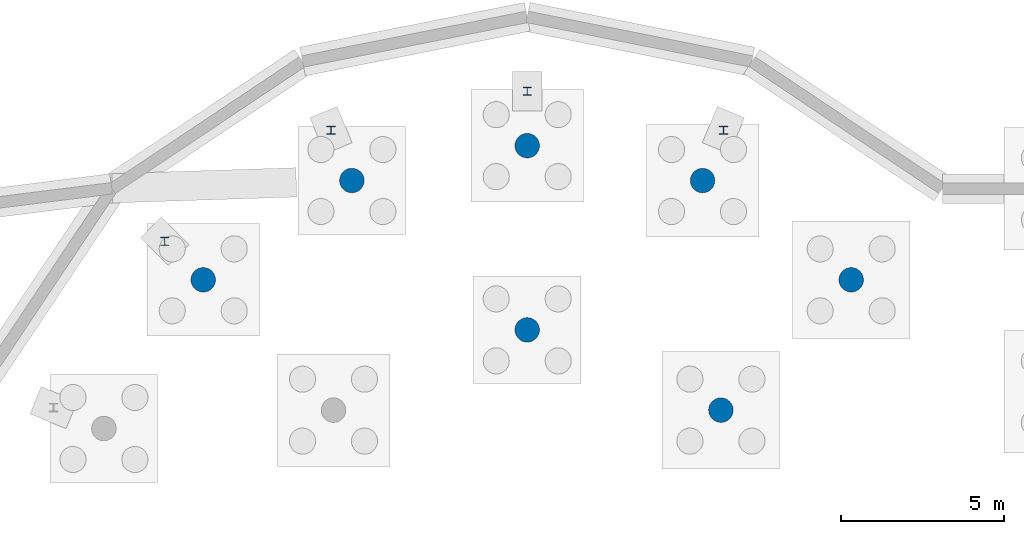
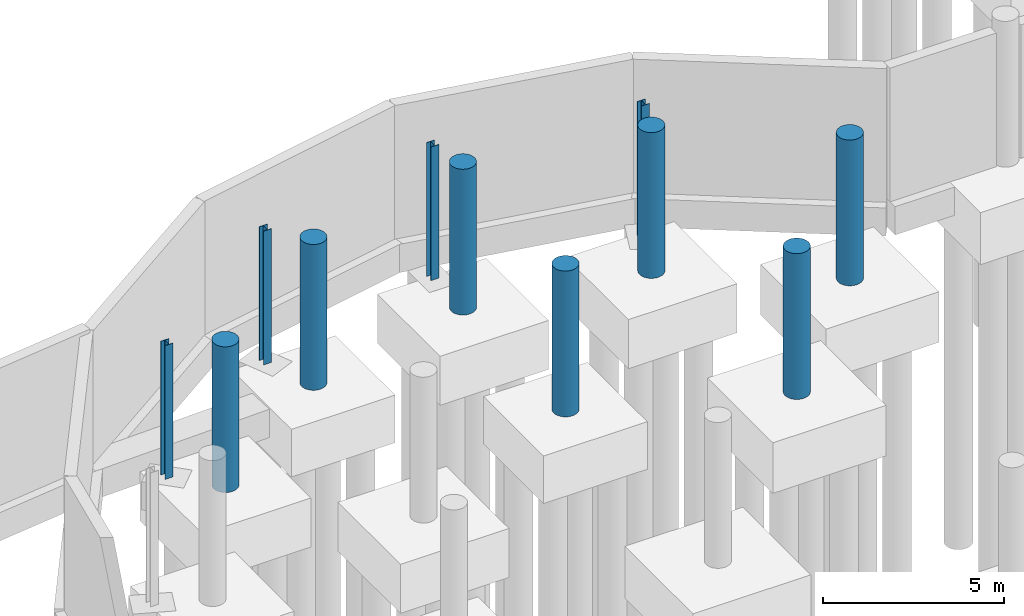
# One storey, part 21 of 51: 11 columns.
"""IFC4 building model written with IfcOpenShell, lengths in metres."""

from ifc_helpers import new_model, si_unit, direction, frame, origin, origin_2d, place, context, subcontext, project, spatial, circle, i_section, extrude, material, material_profile, profile_set, type_object, element, save


model = new_model("IFC4")

# Units and contexts
model_context = context("Model", 3, precision=1e-05, world=origin(), true_north=direction((0.0, 1.0)))
body_context = subcontext(model_context, "Body", "Model", "MODEL_VIEW")
ifc_project = project(units=[si_unit("LENGTHUNIT", "METRE"), si_unit("AREAUNIT", "SQUARE_METRE"), si_unit("VOLUMEUNIT", "CUBIC_METRE"), si_unit("PLANEANGLEUNIT", "RADIAN"), si_unit("MASSUNIT", "GRAM", prefix="KILO")], contexts=[model_context])

# Site, building, storey
site_placement = place(None, origin())
site = spatial("IfcSite", under=ifc_project, at=site_placement, CompositionType="ELEMENT")
building_placement = place(site_placement, origin())
building = spatial("IfcBuilding", under=site, at=building_placement, Name="Jelvoka-Kovrelna Polytechnic", CompositionType="ELEMENT")
storey_placement = place(building_placement, frame((0.0, 0.0, -4.5)))
storey = spatial("IfcBuildingStorey", under=building, at=storey_placement, Name="B01", CompositionType="ELEMENT", Elevation=-4.5)

# Columns
ifc_material_1 = material(Name="Concrete C40/50", Category="concrete")
ifc_material_profile_1 = material_profile(ifc_material_1, circle(Radius=0.375, at=origin_2d()), Name="RC D750")
ifc_profile_set_1 = profile_set([ifc_material_profile_1], Name="Concrete C40/50")
column_type_1 = type_object("IfcColumnType", Name="Col_RC_D750", PredefinedType="COLUMN", material=ifc_profile_set_1)
for number, where, z_axis, x_axis, name in (
    (1, (31.439697265625, 48.439697265625, -0.405029296875), (0.0, 0.0, 1.0), (1.0, 0.0, 0.0), "B01 column 0924"),
    (2, (25.5, 50.89990234375, -0.405029296875), (0.0, 0.0, 1.0), (1.0, 0.0, 0.0), "B01 column 0936"),
    (3, (15.565185546875, 52.434814453125, -0.405029296875), (0.0, 0.0, 1.0), (1.0, 0.0, 0.0), "B01 column 0942"),
    (4, (35.434814453125, 52.434814453125, -0.405029296875), (0.0, 0.0, 1.0), (1.0, 0.0, 0.0), "B01 column 0948"),
    (5, (20.123291015625, 55.48046875, -0.405029296875), (0.0, 0.0, 1.0), (1.0, 0.0, 0.0), "B01 column 0960"),
    (6, (30.876708984375, 55.48046875, -0.405029296875), (0.0, 0.0, 1.0), (1.0, 0.0, 0.0), "B01 column 0966"),
    (7, (25.5, 56.550048828125, -0.405029296875), (0.0, 0.0, 1.0), (1.0, 0.0, 0.0), "B01 column 1133"),
):
    element("IfcColumn", number, at=place(storey_placement, frame(where, z_axis=z_axis, x_axis=x_axis)), inside=storey, type_object=column_type_1, Name=name, PredefinedType="COLUMN", context=body_context, shape_type="SweptSolid", body=[
        extrude(circle(Radius=0.375, at=origin_2d()), origin(), (0.0, 0.0, 1.0), 4.905029296875),
    ])
ifc_material_2 = material(Name="Structural steel S355JR", Category="steel")
ifc_material_profile_2 = material_profile(ifc_material_2, i_section(OverallWidth=0.254638671875, OverallDepth=0.254150390625, WebThickness=0.008544921875, FlangeThickness=0.01416015625, FilletRadius=0.0126953125, at=origin_2d()), Name="254x254x73 UC")
ifc_profile_set_2 = profile_set([ifc_material_profile_2], Name="Structural steel S355JR")
column_type_2 = type_object("IfcColumnType", Name="Col_Steel_UC254", PredefinedType="COLUMN", material=ifc_profile_set_2)
for number, where, z_axis, x_axis, name in (
    (8, (31.515869140625, 57.0234375, -0.405029296875), (0.0, 0.0, 1.0), (1.0, 0.0, 0.0), "B01 recessed rotunda gallery post 1722"),
    (9, (25.5, 58.219970703125, -0.405029296875), (0.0, 0.0, 1.0), (1.0, 0.0, 0.0), "B01 recessed rotunda gallery post 1728"),
    (10, (19.484130859375, 57.0234375, -0.405029296875), (0.0, 0.0, 1.0), (1.0, 0.0, 0.0), "B01 recessed rotunda gallery post 1734"),
    (11, (14.38427734375, 53.61572265625, -0.405029296875), (0.0, 0.0, 1.0), (1.0, 0.0, 0.0), "B01 recessed rotunda gallery post 1740"),
):
    element("IfcColumn", number, at=place(storey_placement, frame(where, z_axis=z_axis, x_axis=x_axis)), inside=storey, type_object=column_type_2, Name=name, PredefinedType="COLUMN", context=body_context, shape_type="SweptSolid", body=[
        extrude(i_section(OverallWidth=0.254638671875, OverallDepth=0.254150390625, WebThickness=0.008544921875, FlangeThickness=0.01416015625, FilletRadius=0.0126953125, at=origin_2d()), origin(), (0.0, 0.0, 1.0), 4.5),
    ])

save(model, "model.ifc")
